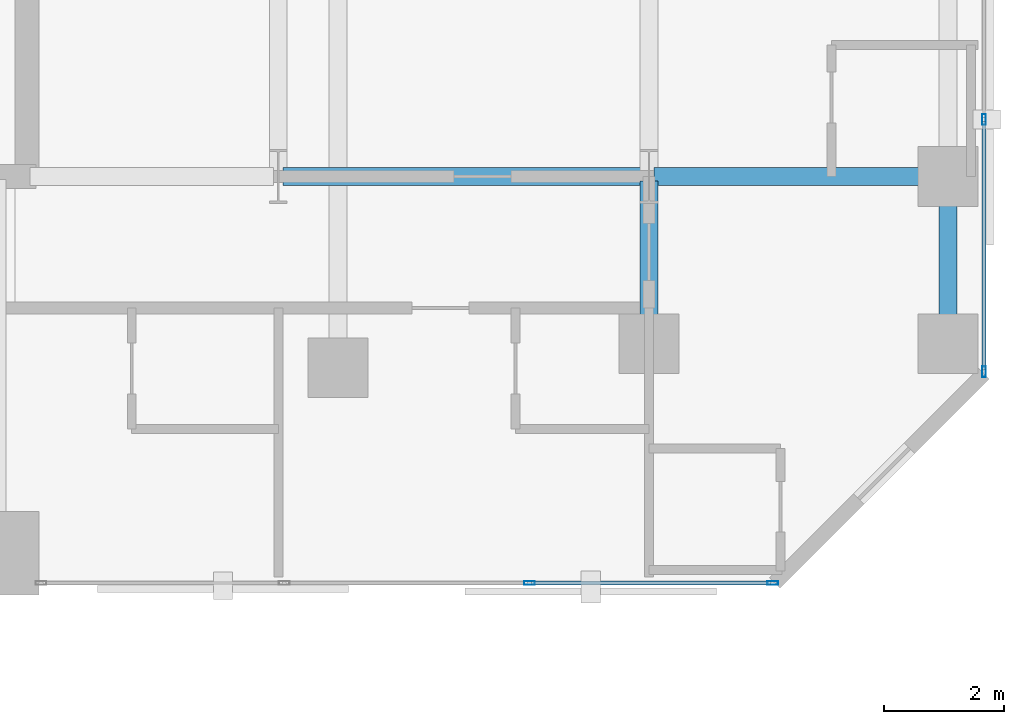
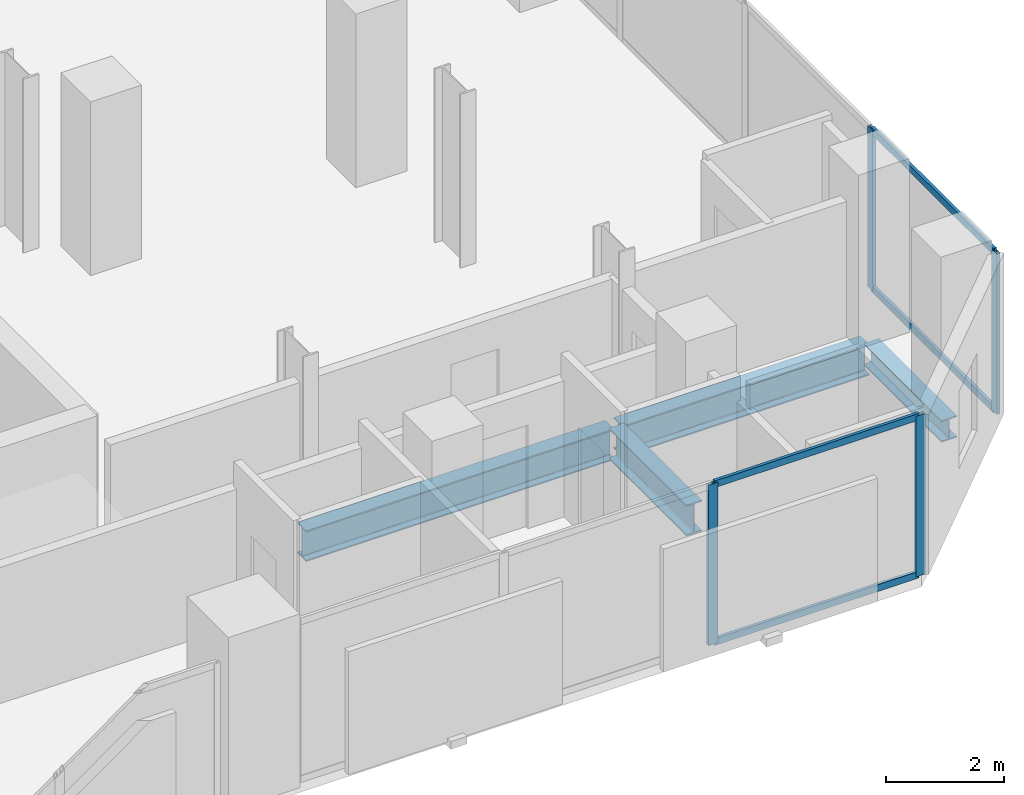
# One storey, part 15 of 31: 8 members, 4 beams, 2 elements without a shape of their own.
"""IFC4 building model written with IfcOpenShell, lengths in metres."""

from ifc_helpers import new_model, si_unit, direction, frame, origin, origin_2d, place, context, subcontext, project, spatial, hollow_rectangle, i_section, extrude, material, layer, layer_set, material_profile, profile_set, type_object, element, aggregate, save


model = new_model("IFC4")

# Units and contexts
model_context = context("Model", 3, precision=1e-05, world=origin(), true_north=direction((0.0, 1.0)))
body_context = subcontext(model_context, "Body", "Model", "MODEL_VIEW")
ifc_project = project(units=[si_unit("LENGTHUNIT", "METRE"), si_unit("AREAUNIT", "SQUARE_METRE"), si_unit("VOLUMEUNIT", "CUBIC_METRE"), si_unit("PLANEANGLEUNIT", "RADIAN"), si_unit("MASSUNIT", "GRAM", prefix="KILO")], contexts=[model_context])

# Site, building, storey
site_placement = place(None, origin())
site = spatial("IfcSite", under=ifc_project, at=site_placement, CompositionType="ELEMENT")
building_placement = place(site_placement, origin())
building = spatial("IfcBuilding", under=site, at=building_placement, Name="Catumbela Crestline Tower", CompositionType="ELEMENT")
storey_placement = place(building_placement, frame((0.0, 0.0, 36.6)))
storey = spatial("IfcBuildingStorey", under=building, at=storey_placement, Name="L08", CompositionType="ELEMENT", Elevation=36.6)

# Beams
ifc_material_1 = material(Name="Structural steel S355J2", Category="steel")
ifc_material_profile_1 = material_profile(ifc_material_1, i_section(OverallWidth=0.3, OverallDepth=0.64, WebThickness=0.0135, FlangeThickness=0.026, FilletRadius=0.027, at=origin_2d()), Name="HEA 650")
ifc_profile_set_1 = profile_set([ifc_material_profile_1], Name="Structural steel S355J2")
beam_type_1 = type_object("IfcBeamType", Name="BG-HEA650", PredefinedType="BEAM", material=ifc_profile_set_1)
beam_1_placement = place(storey_placement, frame((44.28, 30.8, -0.58), z_axis=(1.0, 0.0, 0.0), x_axis=(0.0, 1.0, 0.0)))
element("IfcBeam", 1, at=beam_1_placement, inside=storey, type_object=beam_type_1, Name="L08 Beam BM-L08-M11", PredefinedType="BEAM", context=body_context, shape_type="SweptSolid", body=[
    extrude(i_section(OverallWidth=0.3, OverallDepth=0.64, WebThickness=0.0135, FlangeThickness=0.026, FilletRadius=0.027, at=origin_2d()), origin(), (0.0, 0.0, 1.0), 6.04),
])
beam_2_placement = place(storey_placement, frame((50.48, 30.8, -0.58), z_axis=(1.0, 0.0, 0.0), x_axis=(0.0, 1.0, 0.0)))
element("IfcBeam", 2, at=beam_2_placement, inside=storey, type_object=beam_type_1, Name="L08 Beam BM-L08-M12", PredefinedType="BEAM", context=body_context, shape_type="SweptSolid", body=[
    extrude(i_section(OverallWidth=0.3, OverallDepth=0.64, WebThickness=0.0135, FlangeThickness=0.026, FilletRadius=0.027, at=origin_2d()), origin(), (0.0, 0.0, 1.0), 4.84),
])
beam_3_placement = place(storey_placement, frame((50.4, 28.08, -0.58), z_axis=(0.0, 1.0, 0.0), x_axis=(-1.0, 0.0, 0.0)))
element("IfcBeam", 3, at=beam_3_placement, inside=storey, type_object=beam_type_1, Name="L08 Beam BM-L08-SN37", PredefinedType="BEAM", context=body_context, shape_type="SweptSolid", body=[
    extrude(i_section(OverallWidth=0.3, OverallDepth=0.64, WebThickness=0.0135, FlangeThickness=0.026, FilletRadius=0.027, at=origin_2d()), origin(), (0.0, 0.0, 1.0), 2.64),
])

# Curtain wall, members
ifc_material_2 = material(Name="Aluminium alloy AW-6060-T66", Category="aluminium")
ifc_layer = layer(ifc_material_2, 0.18, Name="Aluminium alloy AW-6060-T66")
ifc_layer_set = layer_set([ifc_layer], Name="Aluminium alloy AW-6060-T66")
curtain_wall_type = type_object("IfcCurtainWallType", Name="CWU-Z1", PredefinedType="USERDEFINED", material=ifc_layer_set)
curtain_wall_1_placement = place(storey_placement, origin())
curtain_wall_1 = element("IfcCurtainWall", 4, at=curtain_wall_1_placement, inside=storey, type_object=curtain_wall_type, Name="L08 Unitised Curtain Wall CW-L08-E3S3", ObjectType="UNITISED", PredefinedType="USERDEFINED")
ifc_material_profile_2 = material_profile(ifc_material_2, hollow_rectangle(XDim=0.065, YDim=0.18, WallThickness=0.004, at=origin_2d()), Name="ALU 180x65x4")
ifc_profile_set_2 = profile_set([ifc_material_profile_2], Name="Aluminium alloy AW-6060-T66")
member_type_1 = type_object("IfcMemberType", Name="MUL-180X65", PredefinedType="MULLION", material=ifc_profile_set_2)
member_1_placement = place(storey_placement, frame((48.4, 24.0, 0.0), z_axis=(0.0, 0.0, 1.0), x_axis=(0.0, 1.0, 0.0)))
member_1 = element("IfcMember", 5, at=member_1_placement, type_object=member_type_1, Name="CWU-Z1 mullion 3", PredefinedType="MULLION", context=body_context, shape_type="SweptSolid", body=[
    extrude(hollow_rectangle(XDim=0.065, YDim=0.18, WallThickness=0.004, at=origin_2d()), origin(), (0.0, 0.0, 1.0), 3.33),
])
member_2_placement = place(storey_placement, frame((52.4675, 24.0, 0.0), z_axis=(0.0, 0.0, 1.0), x_axis=(0.0, 1.0, 0.0)))
member_2 = element("IfcMember", 6, at=member_2_placement, type_object=member_type_1, Name="CWU-Z1 mullion 4", PredefinedType="MULLION", context=body_context, shape_type="SweptSolid", body=[
    extrude(hollow_rectangle(XDim=0.065, YDim=0.18, WallThickness=0.004, at=origin_2d()), origin(), (0.0, 0.0, 1.0), 3.33),
])

curtain_wall_2_placement = place(storey_placement, origin())
curtain_wall_2 = element("IfcCurtainWall", 7, at=curtain_wall_2_placement, inside=storey, type_object=curtain_wall_type, Name="L08 Unitised Curtain Wall CW-L08-E5S1", ObjectType="UNITISED", PredefinedType="USERDEFINED")
member_3_placement = place(storey_placement, frame((56.0, 27.5325, 0.0), z_axis=(0.0, 0.0, 1.0), x_axis=(-1.0, 0.0, 0.0)))
member_3 = element("IfcMember", 8, at=member_3_placement, type_object=member_type_1, Name="CWU-Z1 mullion 1", PredefinedType="MULLION", context=body_context, shape_type="SweptSolid", body=[
    extrude(hollow_rectangle(XDim=0.065, YDim=0.18, WallThickness=0.004, at=origin_2d()), origin(), (0.0, 0.0, 1.0), 3.33),
])
member_4_placement = place(storey_placement, frame((56.0, 31.75, 0.0), z_axis=(0.0, 0.0, 1.0), x_axis=(-1.0, 0.0, 0.0)))
member_4 = element("IfcMember", 9, at=member_4_placement, type_object=member_type_1, Name="CWU-Z1 mullion 2", PredefinedType="MULLION", context=body_context, shape_type="SweptSolid", body=[
    extrude(hollow_rectangle(XDim=0.065, YDim=0.18, WallThickness=0.004, at=origin_2d()), origin(), (0.0, 0.0, 1.0), 3.33),
])

# Beam
ifc_material_profile_3 = material_profile(ifc_material_1, i_section(OverallWidth=0.3, OverallDepth=0.45, WebThickness=0.014, FlangeThickness=0.026, FilletRadius=0.027, at=origin_2d()), Name="HEB 450")
ifc_profile_set_3 = profile_set([ifc_material_profile_3], Name="Structural steel S355J2")
beam_type_2 = type_object("IfcBeamType", Name="BS-HEB450", PredefinedType="SPANDREL", material=ifc_profile_set_3)
beam_4_placement = place(storey_placement, frame((55.4, 28.08, -0.485), z_axis=(0.0, 1.0, 0.0), x_axis=(-1.0, 0.0, 0.0)))
element("IfcBeam", 10, at=beam_4_placement, inside=storey, type_object=beam_type_2, Name="L08 Spandrel SP-L08-SN40", PredefinedType="SPANDREL", context=body_context, shape_type="SweptSolid", body=[
    extrude(i_section(OverallWidth=0.3, OverallDepth=0.45, WebThickness=0.014, FlangeThickness=0.026, FilletRadius=0.027, at=origin_2d()), origin(), (0.0, 0.0, 1.0), 2.64),
])

# Member
ifc_material_profile_4 = material_profile(ifc_material_2, hollow_rectangle(XDim=0.06, YDim=0.14, WallThickness=0.004, at=origin_2d()), Name="ALU 140x60x4")
ifc_profile_set_4 = profile_set([ifc_material_profile_4], Name="Aluminium alloy AW-6060-T66")
member_type_2 = type_object("IfcMemberType", Name="TRN-140X60", PredefinedType="USERDEFINED", material=ifc_profile_set_4)
member_5_placement = place(storey_placement, frame((48.4325, 24.0, 0.03), z_axis=(1.0, 0.0, 0.0), x_axis=(0.0, 1.0, 0.0)))
member_5 = element("IfcMember", 11, at=member_5_placement, type_object=member_type_2, Name="CWU-Z1 transom 3.1", ObjectType="TRANSOM", PredefinedType="USERDEFINED", context=body_context, shape_type="SweptSolid", body=[
    extrude(hollow_rectangle(XDim=0.06, YDim=0.14, WallThickness=0.004, at=origin_2d()), origin(), (0.0, 0.0, 1.0), 4.0025),
])

member_6_placement = place(storey_placement, frame((48.4325, 24.0, 3.3), z_axis=(1.0, 0.0, 0.0), x_axis=(0.0, 1.0, 0.0)))
member_6 = element("IfcMember", 12, at=member_6_placement, type_object=member_type_2, Name="CWU-Z1 transom 3.2", ObjectType="TRANSOM", PredefinedType="USERDEFINED", context=body_context, shape_type="SweptSolid", body=[
    extrude(hollow_rectangle(XDim=0.06, YDim=0.14, WallThickness=0.004, at=origin_2d()), origin(), (0.0, 0.0, 1.0), 4.0025),
])

aggregate(curtain_wall_1, [member_1, member_2, member_5, member_6])

member_7_placement = place(storey_placement, frame((56.0, 27.565, 0.03), z_axis=(0.0, 1.0, 0.0), x_axis=(-1.0, 0.0, 0.0)))
member_7 = element("IfcMember", 13, at=member_7_placement, type_object=member_type_2, Name="CWU-Z1 transom 1.1", ObjectType="TRANSOM", PredefinedType="USERDEFINED", context=body_context, shape_type="SweptSolid", body=[
    extrude(hollow_rectangle(XDim=0.06, YDim=0.14, WallThickness=0.004, at=origin_2d()), origin(), (0.0, 0.0, 1.0), 4.1525),
])

member_8_placement = place(storey_placement, frame((56.0, 27.565, 3.3), z_axis=(0.0, 1.0, 0.0), x_axis=(-1.0, 0.0, 0.0)))
member_8 = element("IfcMember", 14, at=member_8_placement, type_object=member_type_2, Name="CWU-Z1 transom 1.2", ObjectType="TRANSOM", PredefinedType="USERDEFINED", context=body_context, shape_type="SweptSolid", body=[
    extrude(hollow_rectangle(XDim=0.06, YDim=0.14, WallThickness=0.004, at=origin_2d()), origin(), (0.0, 0.0, 1.0), 4.1525),
])

aggregate(curtain_wall_2, [member_3, member_4, member_7, member_8])

save(model, "model.ifc")
